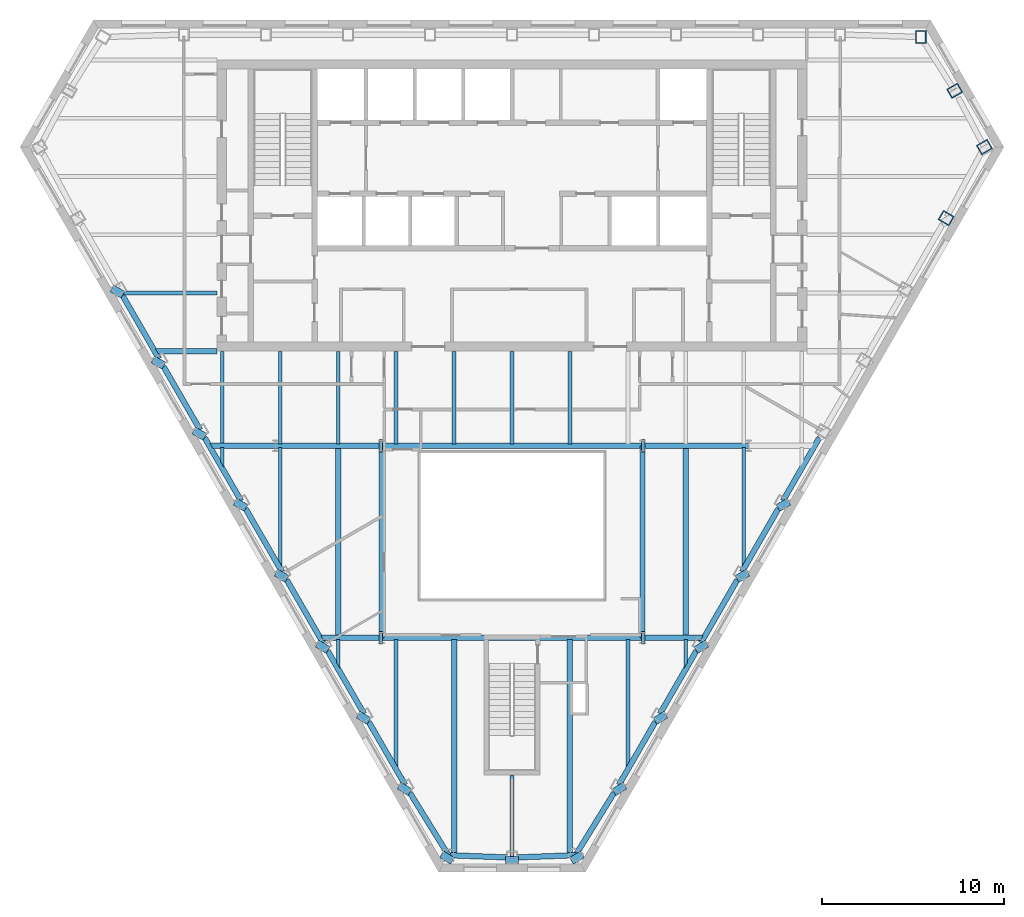
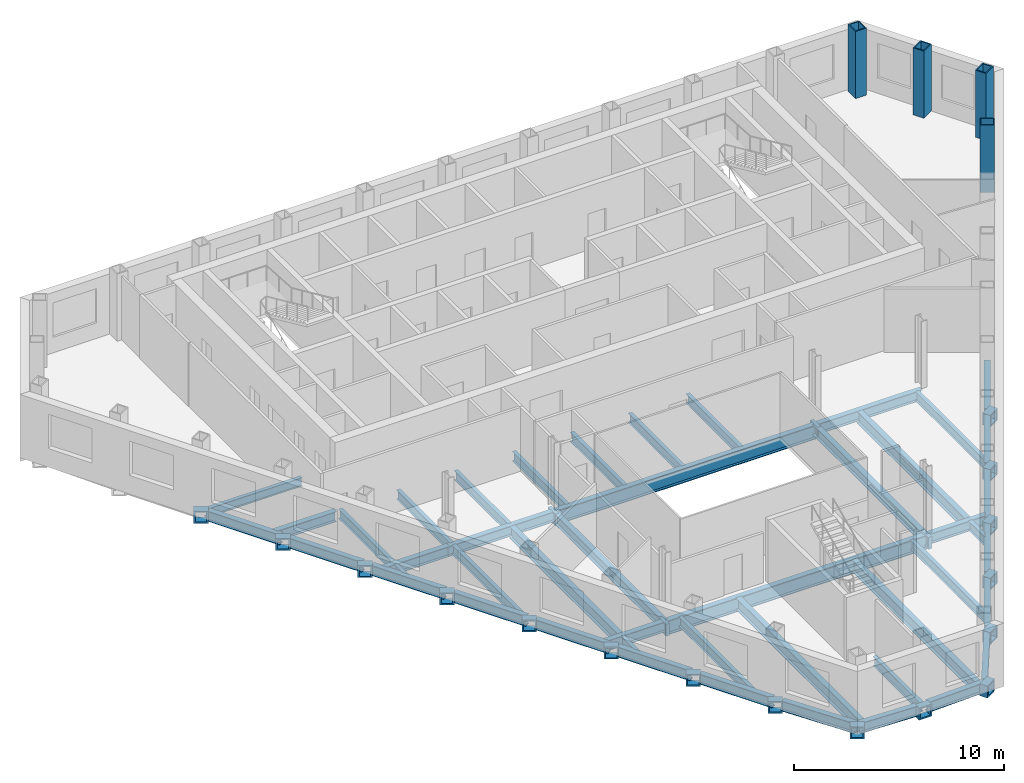
# One storey, part 2 of 11: 66 beams, 4 columns.
"""IFC4 building model written with IfcOpenShell, lengths in metres."""

from ifc_helpers import new_model, si_unit, direction, frame, origin, origin_2d, place, context, subcontext, project, spatial, hollow_rectangle, i_section, extrude, clip, halfspace, material, material_profile, profile_set, type_object, element, save


model = new_model("IFC4")

# Units and contexts
model_context = context("Model", 3, precision=1e-05, world=origin(), true_north=direction((0.0, 1.0)))
body_context = subcontext(model_context, "Body", "Model", "MODEL_VIEW")
ifc_project = project(units=[si_unit("LENGTHUNIT", "METRE"), si_unit("AREAUNIT", "SQUARE_METRE"), si_unit("VOLUMEUNIT", "CUBIC_METRE"), si_unit("PLANEANGLEUNIT", "RADIAN"), si_unit("MASSUNIT", "GRAM", prefix="KILO")], contexts=[model_context])

# Site, building, storey
site_placement = place(None, origin())
site = spatial("IfcSite", under=ifc_project, at=site_placement, CompositionType="ELEMENT")
building_placement = place(site_placement, origin())
building = spatial("IfcBuilding", under=site, at=building_placement, Name="Njiva Tower", CompositionType="ELEMENT")
storey_placement = place(building_placement, frame((0.0, 0.0, 174.9)))
storey = spatial("IfcBuildingStorey", under=building, at=storey_placement, Name="L38", CompositionType="ELEMENT", Elevation=174.9)

# Columns
ifc_material = material(Name="Steel S355 J2", Category="steel")
ifc_material_profile_1 = material_profile(ifc_material, hollow_rectangle(XDim=0.6, YDim=0.7, WallThickness=0.06, at=origin_2d()), Name="BOX 700x600x60")
ifc_profile_set_1 = profile_set([ifc_material_profile_1], Name="Steel S355 J2")
column_type = type_object("IfcColumnType", Name="C9 Perimeter tube column BOX 700x600x60", PredefinedType="COLUMN", material=ifc_profile_set_1)
for number, where, z_axis, x_axis, name in (
    (1, (22.466, 19.267, 0.0), (0.0, 0.0, 1.0), (-1.0, 0.0, 0.0), "Perimeter tube column S13-C01"),
    (2, (23.857, 9.315, 0.0), (0.0, 0.0, 1.0), (0.5, 0.866025403784, 0.0), "Perimeter tube column S13-C34"),
    (3, (25.958, 13.22, 0.0), (0.0, 0.0, 1.0), (-0.5, 0.866025403784, 0.0), "Perimeter tube column S13-C35"),
    (4, (24.327, 16.31, 0.0), (0.0, 0.0, 1.0), (-0.5, 0.866025403784, 0.0), "Perimeter tube column S13-C36"),
):
    element("IfcColumn", number, at=place(storey_placement, frame(where, z_axis=z_axis, x_axis=x_axis)), inside=storey, type_object=column_type, Name=name, PredefinedType="COLUMN", context=body_context, shape_type="SweptSolid", body=[
        extrude(hollow_rectangle(XDim=0.6, YDim=0.7, WallThickness=0.06, at=origin_2d()), origin(), (0.0, 0.0, 1.0), 3.9),
    ])

# Beams
ifc_material_profile_2 = material_profile(ifc_material, i_section(OverallWidth=0.3, OverallDepth=0.69, WebThickness=0.0145, FlangeThickness=0.027, at=origin_2d()), Name="HEA 700")
ifc_profile_set_2 = profile_set([ifc_material_profile_2], Name="Steel S355 J2")
beam_type_1 = type_object("IfcBeamType", Name="B12 Long-span floor joist HEA 700", PredefinedType="JOIST", material=ifc_profile_set_2)
beam_1_placement = place(storey_placement, frame((-9.55, -3.3, -0.545), z_axis=(0.0, -1.0, 0.0), x_axis=(1.0, 0.0, 0.0)))
element("IfcBeam", 5, at=beam_1_placement, inside=storey, type_object=beam_type_1, Name="Long-span floor joist S13-B056", PredefinedType="JOIST", context=body_context, shape_type="SweptSolid", body=[
    extrude(i_section(OverallWidth=0.3, OverallDepth=0.69, WebThickness=0.0145, FlangeThickness=0.027, at=origin_2d()), origin(), (0.0, 0.0, 1.0), 10.35),
])
for number, where, z_axis, x_axis, name in (
    (6, (-3.183, -13.851, -0.545), (0.0, -1.0, 0.0), (1.0, 0.0, 0.0), "Long-span floor joist S13-B060"),
    (7, (3.183, -13.851, -0.545), (0.0, -1.0, 0.0), (1.0, 0.0, 0.0), "Long-span floor joist S13-B067"),
):
    element("IfcBeam", number, at=place(storey_placement, frame(where, z_axis=z_axis, x_axis=x_axis)), inside=storey, type_object=beam_type_1, Name=name, PredefinedType="JOIST", context=body_context, shape_type="SweptSolid", body=[
        extrude(i_section(OverallWidth=0.3, OverallDepth=0.69, WebThickness=0.0145, FlangeThickness=0.027, at=origin_2d()), origin(), (0.0, 0.0, 1.0), 11.75),
    ])
beam_2_placement = place(storey_placement, frame((9.55, -3.3, -0.545), z_axis=(0.0, -1.0, 0.0), x_axis=(1.0, 0.0, 0.0)))
element("IfcBeam", 8, at=beam_2_placement, inside=storey, type_object=beam_type_1, Name="Long-span floor joist S13-B072", PredefinedType="JOIST", context=body_context, shape_type="SweptSolid", body=[
    extrude(i_section(OverallWidth=0.3, OverallDepth=0.69, WebThickness=0.0145, FlangeThickness=0.027, at=origin_2d()), origin(), (0.0, 0.0, 1.0), 10.35),
])
ifc_material_profile_3 = material_profile(ifc_material, hollow_rectangle(XDim=0.7, YDim=0.7, WallThickness=0.08, at=origin_2d()), Name="BOX 700x700x80")
ifc_profile_set_3 = profile_set([ifc_material_profile_3], Name="Steel S355 J2")
beam_type_2 = type_object("IfcBeamType", Name="B19 Column jog beam BOX 700x700x80", PredefinedType="BEAM", material=ifc_profile_set_3)
beam_3_placement = place(storey_placement, frame((-21.784, 5.092, -0.55), z_axis=(0.49437165503, 0.869250635147, 0.0), x_axis=(-0.869250635147, 0.49437165503, 0.0)))
element("IfcBeam", 9, at=beam_3_placement, inside=storey, type_object=beam_type_2, Name="Column jog beam S13-B024", PredefinedType="BEAM", context=body_context, shape_type="SweptSolid", body=[
    extrude(hollow_rectangle(XDim=0.7, YDim=0.7, WallThickness=0.08, at=origin_2d()), origin(), (0.0, 0.0, 1.0), 0.4268),
])
for number, where, z_axis, x_axis, name in (
    (10, (-19.53, 1.188, -0.55), (0.497148774231, 0.867665313517, 0.0), (-0.867665313517, 0.497148774231, 0.0), "Column jog beam S13-B025"),
    (11, (-17.276, -2.716, -0.55), (0.497148774231, 0.867665313517, 0.0), (-0.867665313517, 0.497148774231, 0.0), "Column jog beam S13-B026"),
):
    element("IfcBeam", number, at=place(storey_placement, frame(where, z_axis=z_axis, x_axis=x_axis)), inside=storey, type_object=beam_type_2, Name=name, PredefinedType="BEAM", context=body_context, shape_type="SweptSolid", body=[
        extrude(hollow_rectangle(XDim=0.7, YDim=0.7, WallThickness=0.08, at=origin_2d()), origin(), (0.0, 0.0, 1.0), 0.4264),
    ])
beam_4_placement = place(storey_placement, frame((-15.022, -6.619, -0.55), z_axis=(0.499178780935, 0.866499015963, 0.0), x_axis=(-0.866499015963, 0.499178780935, 0.0)))
element("IfcBeam", 12, at=beam_4_placement, inside=storey, type_object=beam_type_2, Name="Column jog beam S13-B027", PredefinedType="BEAM", context=body_context, shape_type="SweptSolid", body=[
    extrude(hollow_rectangle(XDim=0.7, YDim=0.7, WallThickness=0.08, at=origin_2d()), origin(), (0.0, 0.0, 1.0), 0.4247),
])
beam_5_placement = place(storey_placement, frame((-12.768, -10.523, -0.55), z_axis=(0.501964949025, 0.864887963814, 0.0), x_axis=(-0.864887963814, 0.501964949025, 0.0)))
element("IfcBeam", 13, at=beam_5_placement, inside=storey, type_object=beam_type_2, Name="Column jog beam S13-B028", PredefinedType="BEAM", context=body_context, shape_type="SweptSolid", body=[
    extrude(hollow_rectangle(XDim=0.7, YDim=0.7, WallThickness=0.08, at=origin_2d()), origin(), (0.0, 0.0, 1.0), 0.4243),
])
beam_6_placement = place(storey_placement, frame((-10.515, -14.427, -0.55), z_axis=(0.503724664701, 0.863864261427, 0.0), x_axis=(-0.863864261427, 0.503724664701, 0.0)))
element("IfcBeam", 14, at=beam_6_placement, inside=storey, type_object=beam_type_2, Name="Column jog beam S13-B029", PredefinedType="BEAM", context=body_context, shape_type="SweptSolid", body=[
    extrude(hollow_rectangle(XDim=0.7, YDim=0.7, WallThickness=0.08, at=origin_2d()), origin(), (0.0, 0.0, 1.0), 0.4248),
])
beam_7_placement = place(storey_placement, frame((-8.261, -18.33, -0.55), z_axis=(0.505780153596, 0.862662411508, 0.0), x_axis=(-0.862662411508, 0.505780153596, 0.0)))
element("IfcBeam", 15, at=beam_7_placement, inside=storey, type_object=beam_type_2, Name="Column jog beam S13-B030", PredefinedType="BEAM", context=body_context, shape_type="SweptSolid", body=[
    extrude(hollow_rectangle(XDim=0.7, YDim=0.7, WallThickness=0.08, at=origin_2d()), origin(), (0.0, 0.0, 1.0), 0.4231),
])
beam_8_placement = place(storey_placement, frame((-6.008, -22.234, -0.55), z_axis=(0.511028368977, 0.859563846436, 0.0), x_axis=(-0.859563846436, 0.511028368977, 0.0)))
element("IfcBeam", 16, at=beam_8_placement, inside=storey, type_object=beam_type_2, Name="Column jog beam S13-B033", PredefinedType="BEAM", context=body_context, shape_type="SweptSolid", body=[
    extrude(hollow_rectangle(XDim=0.7, YDim=0.7, WallThickness=0.08, at=origin_2d()), origin(), (0.0, 0.0, 1.0), 0.4246),
])
beam_9_placement = place(storey_placement, frame((-3.677, -26.005, -0.55), z_axis=(0.512064542317, 0.858946974209, 0.0), x_axis=(-0.858946974209, 0.512064542317, 0.0)))
element("IfcBeam", 17, at=beam_9_placement, inside=storey, type_object=beam_type_2, Name="Column jog beam S13-B034", PredefinedType="BEAM", context=body_context, shape_type="SweptSolid", body=[
    extrude(hollow_rectangle(XDim=0.7, YDim=0.7, WallThickness=0.08, at=origin_2d()), origin(), (0.0, 0.0, 1.0), 0.4238),
])
beam_10_placement = place(storey_placement, frame((0.0, -26.146, -0.55), z_axis=(0.0, 1.0, 0.0), x_axis=(-1.0, 0.0, 0.0)))
element("IfcBeam", 18, at=beam_10_placement, inside=storey, type_object=beam_type_2, Name="Column jog beam S13-B035", PredefinedType="BEAM", context=body_context, shape_type="SweptSolid", body=[
    extrude(hollow_rectangle(XDim=0.7, YDim=0.7, WallThickness=0.08, at=origin_2d()), origin(), (0.0, 0.0, 1.0), 0.38),
])
beam_11_placement = place(storey_placement, frame((3.677, -26.005, -0.55), z_axis=(-0.512064542317, 0.858946974209, 0.0), x_axis=(-0.858946974209, -0.512064542317, 0.0)))
element("IfcBeam", 19, at=beam_11_placement, inside=storey, type_object=beam_type_2, Name="Column jog beam S13-B036", PredefinedType="BEAM", context=body_context, shape_type="SweptSolid", body=[
    extrude(hollow_rectangle(XDim=0.7, YDim=0.7, WallThickness=0.08, at=origin_2d()), origin(), (0.0, 0.0, 1.0), 0.4238),
])
beam_12_placement = place(storey_placement, frame((6.008, -22.234, -0.55), z_axis=(-0.511028368977, 0.859563846436, 0.0), x_axis=(-0.859563846436, -0.511028368977, 0.0)))
element("IfcBeam", 20, at=beam_12_placement, inside=storey, type_object=beam_type_2, Name="Column jog beam S13-B037", PredefinedType="BEAM", context=body_context, shape_type="SweptSolid", body=[
    extrude(hollow_rectangle(XDim=0.7, YDim=0.7, WallThickness=0.08, at=origin_2d()), origin(), (0.0, 0.0, 1.0), 0.4246),
])
beam_13_placement = place(storey_placement, frame((8.261, -18.33, -0.55), z_axis=(-0.505780153596, 0.862662411508, 0.0), x_axis=(-0.862662411508, -0.505780153596, 0.0)))
element("IfcBeam", 21, at=beam_13_placement, inside=storey, type_object=beam_type_2, Name="Column jog beam S13-B040", PredefinedType="BEAM", context=body_context, shape_type="SweptSolid", body=[
    extrude(hollow_rectangle(XDim=0.7, YDim=0.7, WallThickness=0.08, at=origin_2d()), origin(), (0.0, 0.0, 1.0), 0.4231),
])
beam_14_placement = place(storey_placement, frame((10.515, -14.427, -0.55), z_axis=(-0.503724664701, 0.863864261427, 0.0), x_axis=(-0.863864261427, -0.503724664701, 0.0)))
element("IfcBeam", 22, at=beam_14_placement, inside=storey, type_object=beam_type_2, Name="Column jog beam S13-B041", PredefinedType="BEAM", context=body_context, shape_type="SweptSolid", body=[
    extrude(hollow_rectangle(XDim=0.7, YDim=0.7, WallThickness=0.08, at=origin_2d()), origin(), (0.0, 0.0, 1.0), 0.4248),
])
beam_15_placement = place(storey_placement, frame((12.768, -10.523, -0.55), z_axis=(-0.501964949025, 0.864887963814, 0.0), x_axis=(-0.864887963814, -0.501964949025, 0.0)))
element("IfcBeam", 23, at=beam_15_placement, inside=storey, type_object=beam_type_2, Name="Column jog beam S13-B042", PredefinedType="BEAM", context=body_context, shape_type="SweptSolid", body=[
    extrude(hollow_rectangle(XDim=0.7, YDim=0.7, WallThickness=0.08, at=origin_2d()), origin(), (0.0, 0.0, 1.0), 0.4243),
])
beam_16_placement = place(storey_placement, frame((15.022, -6.619, -0.55), z_axis=(-0.499178780935, 0.866499015963, 0.0), x_axis=(-0.866499015963, -0.499178780935, 0.0)))
element("IfcBeam", 24, at=beam_16_placement, inside=storey, type_object=beam_type_2, Name="Column jog beam S13-B043", PredefinedType="BEAM", context=body_context, shape_type="SweptSolid", body=[
    extrude(hollow_rectangle(XDim=0.7, YDim=0.7, WallThickness=0.08, at=origin_2d()), origin(), (0.0, 0.0, 1.0), 0.4247),
])
for number, where, z_axis, x_axis, name in (
    (25, (7.3, -3.2, -0.55), (-1.0, 0.0, 0.0), (0.0, -1.0, 0.0), "Column jog beam S13-B039"),
    (26, (-7.3, -3.2, -0.55), (1.0, 0.0, 0.0), (0.0, 1.0, 0.0), "Column jog beam S13-B032"),
    (27, (7.3, -13.75, -0.55), (-1.0, 0.0, 0.0), (0.0, -1.0, 0.0), "Column jog beam S13-B038"),
    (28, (-7.3, -13.75, -0.55), (1.0, 0.0, 0.0), (0.0, 1.0, 0.0), "Column jog beam S13-B031"),
):
    element("IfcBeam", number, at=place(storey_placement, frame(where, z_axis=z_axis, x_axis=x_axis)), inside=storey, type_object=beam_type_2, Name=name, PredefinedType="BEAM", context=body_context, shape_type="SweptSolid", body=[
        extrude(hollow_rectangle(XDim=0.7, YDim=0.7, WallThickness=0.08, at=origin_2d()), origin(), (0.0, 0.0, 1.0), 0.19),
    ])
ifc_material_profile_4 = material_profile(ifc_material, i_section(OverallWidth=0.2, OverallDepth=0.5, WebThickness=0.0102, FlangeThickness=0.016, at=origin_2d()), Name="IPE 500")
ifc_profile_set_4 = profile_set([ifc_material_profile_4], Name="Steel S355 J2")
beam_type_3 = type_object("IfcBeamType", Name="B24 Floor beam to the core IPE 500", PredefinedType="BEAM", material=ifc_profile_set_4)
beam_17_placement = place(storey_placement, frame((-21.518, 5.2, -0.45), z_axis=(1.0, 0.0, 0.0), x_axis=(0.0, 1.0, 0.0)))
element("IfcBeam", 29, at=beam_17_placement, inside=storey, type_object=beam_type_3, Name="Floor beam to the core S13-B006", PredefinedType="BEAM", context=body_context, shape_type="Clipping", body=[
    clip(extrude(i_section(OverallWidth=0.2, OverallDepth=0.5, WebThickness=0.0102, FlangeThickness=0.016, at=origin_2d()), origin(), (0.0, 0.0, 1.0), 5.318), halfspace(frame((-0.025, 0.0, 0.0925), z_axis=(-0.499998009787, 0.0, -0.866026552831), x_axis=(0.0, -1.0, 0.0)), False)),
])
ifc_material_profile_5 = material_profile(ifc_material, i_section(OverallWidth=0.3, OverallDepth=0.59, WebThickness=0.013, FlangeThickness=0.025, at=origin_2d()), Name="HEA 600")
ifc_profile_set_5 = profile_set([ifc_material_profile_5], Name="Steel S355 J2")
beam_type_4 = type_object("IfcBeamType", Name="B27 Short-span spandrel beam HEA 600", PredefinedType="SPANDREL", material=ifc_profile_set_5)
for number, where, z_axis, x_axis, name in (
    (30, (-21.4, 5.06, -0.495), (0.500003221507, -0.866023543838, 0.0), (0.866023543838, 0.500003221507, 0.0), "Short-span spandrel beam S13-B096"),
    (31, (-19.146, 1.156, -0.495), (0.500003221507, -0.866023543838, 0.0), (0.866023543838, 0.500003221507, 0.0), "Short-span spandrel beam S13-B098"),
    (32, (-16.892, -2.748, -0.495), (0.500003221507, -0.866023543838, 0.0), (0.866023543838, 0.500003221507, 0.0), "Short-span spandrel beam S13-B102"),
    (33, (-14.638, -6.652, -0.495), (0.500003221507, -0.866023543838, 0.0), (0.866023543838, 0.500003221507, 0.0), "Short-span spandrel beam S13-B104"),
):
    element("IfcBeam", number, at=place(storey_placement, frame(where, z_axis=z_axis, x_axis=x_axis)), inside=storey, type_object=beam_type_4, Name=name, PredefinedType="SPANDREL", context=body_context, shape_type="SweptSolid", body=[
        extrude(i_section(OverallWidth=0.3, OverallDepth=0.59, WebThickness=0.013, FlangeThickness=0.025, at=origin_2d()), origin(), (0.0, 0.0, 1.0), 4.008),
    ])
for number, where, z_axis, x_axis, name in (
    (34, (-12.385, -10.556, -0.495), (0.500111279225, -0.865961147161, 0.0), (0.865961147161, 0.500111279225, 0.0), "Short-span spandrel beam S13-B108"),
    (35, (-10.131, -14.459, -0.495), (0.500111279225, -0.865961147161, 0.0), (0.865961147161, 0.500111279225, 0.0), "Short-span spandrel beam S13-B110"),
):
    element("IfcBeam", number, at=place(storey_placement, frame(where, z_axis=z_axis, x_axis=x_axis)), inside=storey, type_object=beam_type_4, Name=name, PredefinedType="SPANDREL", context=body_context, shape_type="SweptSolid", body=[
        extrude(i_section(OverallWidth=0.3, OverallDepth=0.59, WebThickness=0.013, FlangeThickness=0.025, at=origin_2d()), origin(), (0.0, 0.0, 1.0), 4.0071),
    ])
beam_18_placement = place(storey_placement, frame((-7.877, -18.362, -0.495), z_axis=(0.500003221507, -0.866023543838, 0.0), x_axis=(0.866023543838, 0.500003221507, 0.0)))
element("IfcBeam", 36, at=beam_18_placement, inside=storey, type_object=beam_type_4, Name="Short-span spandrel beam S13-B113", PredefinedType="SPANDREL", context=body_context, shape_type="SweptSolid", body=[
    extrude(i_section(OverallWidth=0.3, OverallDepth=0.59, WebThickness=0.013, FlangeThickness=0.025, at=origin_2d()), origin(), (0.0, 0.0, 1.0), 4.008),
])
beam_19_placement = place(storey_placement, frame((-5.612, -22.262, -0.495), z_axis=(0.525775899105, -0.850623126843, 0.0), x_axis=(0.850623126843, 0.525775899105, 0.0)))
element("IfcBeam", 37, at=beam_19_placement, inside=storey, type_object=beam_type_4, Name="Short-span spandrel beam S13-B115", PredefinedType="SPANDREL", context=body_context, shape_type="Clipping", body=[
    clip(extrude(i_section(OverallWidth=0.3, OverallDepth=0.59, WebThickness=0.013, FlangeThickness=0.025, at=origin_2d()), origin(), (0.0, 0.0, 1.0), 4.0995), halfspace(frame((-0.0262, 0.0, 3.9703), z_axis=(-0.525775899105, 0.0, 0.850623126843), x_axis=(0.0, 1.0, 0.0)), False)),
])
beam_20_placement = place(storey_placement, frame((-3.391, -25.697, -0.495), z_axis=(0.999282183422, -0.037882949929, 0.0), x_axis=(0.037882949929, 0.999282183422, 0.0)))
element("IfcBeam", 38, at=beam_20_placement, inside=storey, type_object=beam_type_4, Name="Short-span spandrel beam S13-B117", PredefinedType="SPANDREL", context=body_context, shape_type="SweptSolid", body=[
    extrude(i_section(OverallWidth=0.3, OverallDepth=0.59, WebThickness=0.013, FlangeThickness=0.025, at=origin_2d()), origin(), (0.0, 0.0, 1.0), 3.1413),
])
beam_21_placement = place(storey_placement, frame((0.252, -25.816, -0.495), z_axis=(0.999284533682, 0.037820903527, 0.0), x_axis=(-0.037820903527, 0.999284533682, 0.0)))
element("IfcBeam", 39, at=beam_21_placement, inside=storey, type_object=beam_type_4, Name="Short-span spandrel beam S13-B120", PredefinedType="SPANDREL", context=body_context, shape_type="Clipping", body=[
    clip(extrude(i_section(OverallWidth=0.3, OverallDepth=0.59, WebThickness=0.013, FlangeThickness=0.025, at=origin_2d()), origin(), (0.0, 0.0, 1.0), 3.3133), halfspace(frame((-0.0262, 0.0, 3.1824), z_axis=(-0.532394184758, 0.0, 0.846496563511), x_axis=(0.0, 1.0, 0.0)), False)),
])
beam_22_placement = place(storey_placement, frame((3.547, -25.603, -0.495), z_axis=(0.525758460145, 0.850633905735, 0.0), x_axis=(-0.850633905735, 0.525758460145, 0.0)))
element("IfcBeam", 40, at=beam_22_placement, inside=storey, type_object=beam_type_4, Name="Short-span spandrel beam S13-B122", PredefinedType="SPANDREL", context=body_context, shape_type="SweptSolid", body=[
    extrude(i_section(OverallWidth=0.3, OverallDepth=0.59, WebThickness=0.013, FlangeThickness=0.025, at=origin_2d()), origin(), (0.0, 0.0, 1.0), 3.9277),
])
beam_23_placement = place(storey_placement, frame((5.873, -21.833, -0.495), z_axis=(0.500003221507, 0.866023543838, 0.0), x_axis=(-0.866023543838, 0.500003221507, 0.0)))
element("IfcBeam", 41, at=beam_23_placement, inside=storey, type_object=beam_type_4, Name="Short-span spandrel beam S13-B125", PredefinedType="SPANDREL", context=body_context, shape_type="SweptSolid", body=[
    extrude(i_section(OverallWidth=0.3, OverallDepth=0.59, WebThickness=0.013, FlangeThickness=0.025, at=origin_2d()), origin(), (0.0, 0.0, 1.0), 4.008),
])
for number, where, z_axis, x_axis, name in (
    (42, (8.127, -17.929, -0.495), (0.500111279225, 0.865961147161, 0.0), (-0.865961147161, 0.500111279225, 0.0), "Short-span spandrel beam S13-B127"),
    (43, (10.381, -14.026, -0.495), (0.500111279225, 0.865961147161, 0.0), (-0.865961147161, 0.500111279225, 0.0), "Short-span spandrel beam S13-B131"),
):
    element("IfcBeam", number, at=place(storey_placement, frame(where, z_axis=z_axis, x_axis=x_axis)), inside=storey, type_object=beam_type_4, Name=name, PredefinedType="SPANDREL", context=body_context, shape_type="SweptSolid", body=[
        extrude(i_section(OverallWidth=0.3, OverallDepth=0.59, WebThickness=0.013, FlangeThickness=0.025, at=origin_2d()), origin(), (0.0, 0.0, 1.0), 4.0071),
    ])
for number, where, z_axis, x_axis, name in (
    (44, (12.634, -10.123, -0.495), (0.500003221507, 0.866023543838, 0.0), (-0.866023543838, 0.500003221507, 0.0), "Short-span spandrel beam S13-B133"),
    (45, (14.888, -6.219, -0.495), (0.500003221507, 0.866023543838, 0.0), (-0.866023543838, 0.500003221507, 0.0), "Short-span spandrel beam S13-B137"),
):
    element("IfcBeam", number, at=place(storey_placement, frame(where, z_axis=z_axis, x_axis=x_axis)), inside=storey, type_object=beam_type_4, Name=name, PredefinedType="SPANDREL", context=body_context, shape_type="SweptSolid", body=[
        extrude(i_section(OverallWidth=0.3, OverallDepth=0.59, WebThickness=0.013, FlangeThickness=0.025, at=origin_2d()), origin(), (0.0, 0.0, 1.0), 4.008),
    ])
ifc_material_profile_6 = material_profile(ifc_material, i_section(OverallWidth=0.3, OverallDepth=0.59, WebThickness=0.013, FlangeThickness=0.025, at=origin_2d()), Name="HEA 600")
ifc_profile_set_6 = profile_set([ifc_material_profile_6], Name="Steel S355 J2")
beam_type_5 = type_object("IfcBeamType", Name="B28 Floor girder HEA 600", PredefinedType="BEAM", material=ifc_profile_set_6)
for number, where, z_axis, x_axis, name in (
    (46, (-13.0, -3.2, -0.495), (1.0, 0.0, 0.0), (0.0, 1.0, 0.0), "Floor girder S13-B015"),
    (47, (7.17, -3.2, -0.495), (1.0, 0.0, 0.0), (0.0, 1.0, 0.0), "Floor girder S13-B018"),
):
    element("IfcBeam", number, at=place(storey_placement, frame(where, z_axis=z_axis, x_axis=x_axis)), inside=storey, type_object=beam_type_5, Name=name, PredefinedType="BEAM", context=body_context, shape_type="SweptSolid", body=[
        extrude(i_section(OverallWidth=0.3, OverallDepth=0.59, WebThickness=0.013, FlangeThickness=0.025, at=origin_2d()), origin(), (0.0, 0.0, 1.0), 5.83),
    ])
ifc_material_profile_7 = material_profile(ifc_material, i_section(OverallWidth=0.3, OverallDepth=0.59, WebThickness=0.013, FlangeThickness=0.025, at=origin_2d()), Name="HEA 600")
ifc_profile_set_7 = profile_set([ifc_material_profile_7], Name="Steel S355 J2")
beam_type_6 = type_object("IfcBeamType", Name="B29 Short-span floor girder HEA 600", PredefinedType="BEAM", material=ifc_profile_set_7)
beam_24_placement = place(storey_placement, frame((-16.623, -3.2, -0.495), z_axis=(1.0, 0.0, 0.0), x_axis=(0.0, 1.0, 0.0)))
element("IfcBeam", 48, at=beam_24_placement, inside=storey, type_object=beam_type_6, Name="Short-span floor girder S13-B014", PredefinedType="BEAM", context=body_context, shape_type="Clipping", body=[
    clip(extrude(i_section(OverallWidth=0.3, OverallDepth=0.59, WebThickness=0.013, FlangeThickness=0.025, at=origin_2d()), origin(), (0.0, 0.0, 1.0), 3.623), halfspace(frame((-0.025, 0.0, 0.1217), z_axis=(-0.499998009787, 0.0, -0.866026552831), x_axis=(0.0, -1.0, 0.0)), False)),
])
beam_25_placement = place(storey_placement, frame((-10.532, -13.75, -0.495), z_axis=(1.0, 0.0, 0.0), x_axis=(0.0, 1.0, 0.0)))
element("IfcBeam", 49, at=beam_25_placement, inside=storey, type_object=beam_type_6, Name="Short-span floor girder S13-B016", PredefinedType="BEAM", context=body_context, shape_type="Clipping", body=[
    clip(extrude(i_section(OverallWidth=0.3, OverallDepth=0.59, WebThickness=0.013, FlangeThickness=0.025, at=origin_2d()), origin(), (0.0, 0.0, 1.0), 3.362), halfspace(frame((-0.025, 0.0, 0.1217), z_axis=(-0.499998009787, 0.0, -0.866026552831), x_axis=(0.0, -1.0, 0.0)), False)),
])
beam_26_placement = place(storey_placement, frame((7.17, -13.75, -0.495), z_axis=(1.0, 0.0, 0.0), x_axis=(0.0, 1.0, 0.0)))
element("IfcBeam", 50, at=beam_26_placement, inside=storey, type_object=beam_type_6, Name="Short-span floor girder S13-B017", PredefinedType="BEAM", context=body_context, shape_type="Clipping", body=[
    clip(extrude(i_section(OverallWidth=0.3, OverallDepth=0.59, WebThickness=0.013, FlangeThickness=0.025, at=origin_2d()), origin(), (0.0, 0.0, 1.0), 3.362), halfspace(frame((-0.025, 0.0, 3.2403), z_axis=(-0.499998009787, 0.0, 0.866026552831), x_axis=(0.0, 1.0, 0.0)), False)),
])
beam_27_placement = place(storey_placement, frame((-19.625, 2.0, -0.495), z_axis=(1.0, 0.0, 0.0), x_axis=(0.0, 1.0, 0.0)))
element("IfcBeam", 51, at=beam_27_placement, inside=storey, type_object=beam_type_6, Name="Short-span floor girder S13-B013", PredefinedType="BEAM", context=body_context, shape_type="Clipping", body=[
    clip(extrude(i_section(OverallWidth=0.3, OverallDepth=0.59, WebThickness=0.013, FlangeThickness=0.025, at=origin_2d()), origin(), (0.0, 0.0, 1.0), 3.425), halfspace(frame((-0.025, 0.0, 0.1214), z_axis=(-0.499998009787, 0.0, -0.866026552831), x_axis=(0.0, -1.0, 0.0)), False)),
])
ifc_material_profile_8 = material_profile(ifc_material, i_section(OverallWidth=0.3, OverallDepth=0.59, WebThickness=0.013, FlangeThickness=0.025, at=origin_2d()), Name="HEA 600")
ifc_profile_set_8 = profile_set([ifc_material_profile_8], Name="Steel S355 J2")
beam_type_7 = type_object("IfcBeamType", Name="B30 Long-span atrium trimmer beam HEA 600", PredefinedType="BEAM", material=ifc_profile_set_8)
for number, where, z_axis, x_axis, name in (
    (52, (7.17, -13.75, -0.495), (0.0, 1.0, 0.0), (-1.0, 0.0, 0.0), "Long-span atrium trimmer beam S13-B083"),
    (53, (-7.17, -3.2, -0.495), (0.0, -1.0, 0.0), (1.0, 0.0, 0.0), "Long-span atrium trimmer beam S13-B079"),
):
    element("IfcBeam", number, at=place(storey_placement, frame(where, z_axis=z_axis, x_axis=x_axis)), inside=storey, type_object=beam_type_7, Name=name, PredefinedType="BEAM", context=body_context, shape_type="SweptSolid", body=[
        extrude(i_section(OverallWidth=0.3, OverallDepth=0.59, WebThickness=0.013, FlangeThickness=0.025, at=origin_2d()), origin(), (0.0, 0.0, 1.0), 10.55),
    ])
ifc_material_profile_9 = material_profile(ifc_material, i_section(OverallWidth=0.21, OverallDepth=0.55, WebThickness=0.0111, FlangeThickness=0.0172, at=origin_2d()), Name="IPE 550")
ifc_profile_set_9 = profile_set([ifc_material_profile_9], Name="Steel S355 J2")
beam_type_8 = type_object("IfcBeamType", Name="B31 Short-span floor joist IPE 550", PredefinedType="JOIST", material=ifc_profile_set_9)
beam_28_placement = place(storey_placement, frame((-15.917, -3.3, -0.475), z_axis=(0.0, -1.0, 0.0), x_axis=(1.0, 0.0, 0.0)))
element("IfcBeam", 54, at=beam_28_placement, inside=storey, type_object=beam_type_8, Name="Short-span floor joist S13-B050", PredefinedType="JOIST", context=body_context, shape_type="Clipping", body=[
    clip(extrude(i_section(OverallWidth=0.21, OverallDepth=0.55, WebThickness=0.0111, FlangeThickness=0.0172, at=origin_2d()), origin(), (0.0, 0.0, 1.0), 1.14), halfspace(frame((-0.043, 0.0, 0.8627), z_axis=(-0.866026552831, 0.0, 0.499998009787), x_axis=(0.0, 1.0, 0.0)), False)),
])
beam_29_placement = place(storey_placement, frame((-9.55, -13.85, -0.475), z_axis=(0.0, -1.0, 0.0), x_axis=(1.0, 0.0, 0.0)))
element("IfcBeam", 55, at=beam_29_placement, inside=storey, type_object=beam_type_8, Name="Short-span floor joist S13-B055", PredefinedType="JOIST", context=body_context, shape_type="Clipping", body=[
    clip(extrude(i_section(OverallWidth=0.21, OverallDepth=0.55, WebThickness=0.0111, FlangeThickness=0.0172, at=origin_2d()), origin(), (0.0, 0.0, 1.0), 1.617), halfspace(frame((-0.0433, 0.0, 1.3401), z_axis=(-0.866026552831, 0.0, 0.499998009787), x_axis=(0.0, 1.0, 0.0)), False)),
])
beam_30_placement = place(storey_placement, frame((0.0, -21.3, -0.475), z_axis=(0.0, -1.0, 0.0), x_axis=(1.0, 0.0, 0.0)))
element("IfcBeam", 56, at=beam_30_placement, inside=storey, type_object=beam_type_8, Name="Short-span floor joist S13-B063", PredefinedType="JOIST", context=body_context, shape_type="SweptSolid", body=[
    extrude(i_section(OverallWidth=0.21, OverallDepth=0.55, WebThickness=0.0111, FlangeThickness=0.0172, at=origin_2d()), origin(), (0.0, 0.0, 1.0), 4.486),
])
beam_31_placement = place(storey_placement, frame((9.55, -13.85, -0.475), z_axis=(0.0, -1.0, 0.0), x_axis=(1.0, 0.0, 0.0)))
element("IfcBeam", 57, at=beam_31_placement, inside=storey, type_object=beam_type_8, Name="Short-span floor joist S13-B071", PredefinedType="JOIST", context=body_context, shape_type="Clipping", body=[
    clip(extrude(i_section(OverallWidth=0.21, OverallDepth=0.55, WebThickness=0.0111, FlangeThickness=0.0172, at=origin_2d()), origin(), (0.0, 0.0, 1.0), 1.617), halfspace(frame((0.0433, 0.0, 1.3401), z_axis=(0.866026552831, 0.0, 0.499998009787), x_axis=(0.0, 1.0, 0.0)), False)),
])
ifc_material_profile_10 = material_profile(ifc_material, i_section(OverallWidth=0.21, OverallDepth=0.55, WebThickness=0.0111, FlangeThickness=0.0172, at=origin_2d()), Name="IPE 550")
ifc_profile_set_10 = profile_set([ifc_material_profile_10], Name="Steel S355 J2")
beam_type_9 = type_object("IfcBeamType", Name="B32 Floor joist IPE 550", PredefinedType="JOIST", material=ifc_profile_set_10)
for number, where, z_axis, x_axis, name in (
    (58, (-15.917, 1.995, -0.475), (0.0, -1.0, 0.0), (1.0, 0.0, 0.0), "Floor joist S13-B051"),
    (59, (-12.733, 1.995, -0.475), (0.0, -1.0, 0.0), (1.0, 0.0, 0.0), "Floor joist S13-B054"),
):
    element("IfcBeam", number, at=place(storey_placement, frame(where, z_axis=z_axis, x_axis=x_axis)), inside=storey, type_object=beam_type_9, Name=name, PredefinedType="JOIST", context=body_context, shape_type="SweptSolid", body=[
        extrude(i_section(OverallWidth=0.21, OverallDepth=0.55, WebThickness=0.0111, FlangeThickness=0.0172, at=origin_2d()), origin(), (0.0, 0.0, 1.0), 5.095),
    ])
beam_32_placement = place(storey_placement, frame((-12.733, -3.3, -0.475), z_axis=(0.0, -1.0, 0.0), x_axis=(1.0, 0.0, 0.0)))
element("IfcBeam", 60, at=beam_32_placement, inside=storey, type_object=beam_type_9, Name="Floor joist S13-B053", PredefinedType="JOIST", context=body_context, shape_type="Clipping", body=[
    clip(extrude(i_section(OverallWidth=0.21, OverallDepth=0.55, WebThickness=0.0111, FlangeThickness=0.0172, at=origin_2d()), origin(), (0.0, 0.0, 1.0), 6.653), halfspace(frame((-0.0436, 0.0, 6.3764), z_axis=(-0.866026552831, 0.0, 0.499998009787), x_axis=(0.0, 1.0, 0.0)), False)),
])
beam_33_placement = place(storey_placement, frame((-9.55, 1.995, -0.475), z_axis=(0.0, -1.0, 0.0), x_axis=(1.0, 0.0, 0.0)))
element("IfcBeam", 61, at=beam_33_placement, inside=storey, type_object=beam_type_9, Name="Floor joist S13-B057", PredefinedType="JOIST", context=body_context, shape_type="SweptSolid", body=[
    extrude(i_section(OverallWidth=0.21, OverallDepth=0.55, WebThickness=0.0111, FlangeThickness=0.0172, at=origin_2d()), origin(), (0.0, 0.0, 1.0), 5.095),
])
beam_34_placement = place(storey_placement, frame((-6.367, 1.995, -0.475), z_axis=(0.0, -1.0, 0.0), x_axis=(1.0, 0.0, 0.0)))
element("IfcBeam", 62, at=beam_34_placement, inside=storey, type_object=beam_type_9, Name="Floor joist S13-B059", PredefinedType="JOIST", context=body_context, shape_type="SweptSolid", body=[
    extrude(i_section(OverallWidth=0.21, OverallDepth=0.55, WebThickness=0.0111, FlangeThickness=0.0172, at=origin_2d()), origin(), (0.0, 0.0, 1.0), 5.094),
])
beam_35_placement = place(storey_placement, frame((-6.367, -13.851, -0.475), z_axis=(0.0, -1.0, 0.0), x_axis=(1.0, 0.0, 0.0)))
element("IfcBeam", 63, at=beam_35_placement, inside=storey, type_object=beam_type_9, Name="Floor joist S13-B058", PredefinedType="JOIST", context=body_context, shape_type="Clipping", body=[
    clip(extrude(i_section(OverallWidth=0.21, OverallDepth=0.55, WebThickness=0.0111, FlangeThickness=0.0172, at=origin_2d()), origin(), (0.0, 0.0, 1.0), 7.13), halfspace(frame((-0.043, 0.0, 6.8528), z_axis=(-0.866026552831, 0.0, 0.499998009787), x_axis=(0.0, 1.0, 0.0)), False)),
])
for number, where, z_axis, x_axis, name in (
    (64, (-3.183, 1.995, -0.475), (0.0, -1.0, 0.0), (1.0, 0.0, 0.0), "Floor joist S13-B062"),
    (65, (0.0, 1.995, -0.475), (0.0, -1.0, 0.0), (1.0, 0.0, 0.0), "Floor joist S13-B065"),
    (66, (3.183, 1.995, -0.475), (0.0, -1.0, 0.0), (1.0, 0.0, 0.0), "Floor joist S13-B068"),
):
    element("IfcBeam", number, at=place(storey_placement, frame(where, z_axis=z_axis, x_axis=x_axis)), inside=storey, type_object=beam_type_9, Name=name, PredefinedType="JOIST", context=body_context, shape_type="SweptSolid", body=[
        extrude(i_section(OverallWidth=0.21, OverallDepth=0.55, WebThickness=0.0111, FlangeThickness=0.0172, at=origin_2d()), origin(), (0.0, 0.0, 1.0), 5.094),
    ])
beam_36_placement = place(storey_placement, frame((6.367, -13.851, -0.475), z_axis=(0.0, -1.0, 0.0), x_axis=(1.0, 0.0, 0.0)))
element("IfcBeam", 67, at=beam_36_placement, inside=storey, type_object=beam_type_9, Name="Floor joist S13-B069", PredefinedType="JOIST", context=body_context, shape_type="Clipping", body=[
    clip(extrude(i_section(OverallWidth=0.21, OverallDepth=0.55, WebThickness=0.0111, FlangeThickness=0.0172, at=origin_2d()), origin(), (0.0, 0.0, 1.0), 7.13), halfspace(frame((0.043, 0.0, 6.8528), z_axis=(0.866026552831, 0.0, 0.499998009787), x_axis=(0.0, 1.0, 0.0)), False)),
])
beam_37_placement = place(storey_placement, frame((12.733, -3.3, -0.475), z_axis=(0.0, -1.0, 0.0), x_axis=(1.0, 0.0, 0.0)))
element("IfcBeam", 68, at=beam_37_placement, inside=storey, type_object=beam_type_9, Name="Floor joist S13-B075", PredefinedType="JOIST", context=body_context, shape_type="Clipping", body=[
    clip(extrude(i_section(OverallWidth=0.21, OverallDepth=0.55, WebThickness=0.0111, FlangeThickness=0.0172, at=origin_2d()), origin(), (0.0, 0.0, 1.0), 6.653), halfspace(frame((0.0436, 0.0, 6.3764), z_axis=(0.866026552831, 0.0, 0.499998009787), x_axis=(0.0, 1.0, 0.0)), False)),
])
ifc_material_profile_11 = material_profile(ifc_material, i_section(OverallWidth=0.303, OverallDepth=0.814, WebThickness=0.021, FlangeThickness=0.04, at=origin_2d()), Name="HEM 800")
ifc_profile_set_11 = profile_set([ifc_material_profile_11], Name="Steel S355 J2")
beam_type_10 = type_object("IfcBeamType", Name="B36 Long-span atrium trimmer beam HEM 800", PredefinedType="BEAM", material=ifc_profile_set_11)
for number, where, z_axis, x_axis, name in (
    (69, (-7.17, -13.75, -0.607), (1.0, 0.0, 0.0), (0.0, 1.0, 0.0), "Long-span atrium trimmer beam S13-B080"),
    (70, (7.17, -3.2, -0.607), (-1.0, 0.0, 0.0), (0.0, -1.0, 0.0), "Long-span atrium trimmer beam S13-B082"),
):
    element("IfcBeam", number, at=place(storey_placement, frame(where, z_axis=z_axis, x_axis=x_axis)), inside=storey, type_object=beam_type_10, Name=name, PredefinedType="BEAM", context=body_context, shape_type="SweptSolid", body=[
        extrude(i_section(OverallWidth=0.303, OverallDepth=0.814, WebThickness=0.021, FlangeThickness=0.04, at=origin_2d()), origin(), (0.0, 0.0, 1.0), 14.34),
    ])

save(model, "model.ifc")
